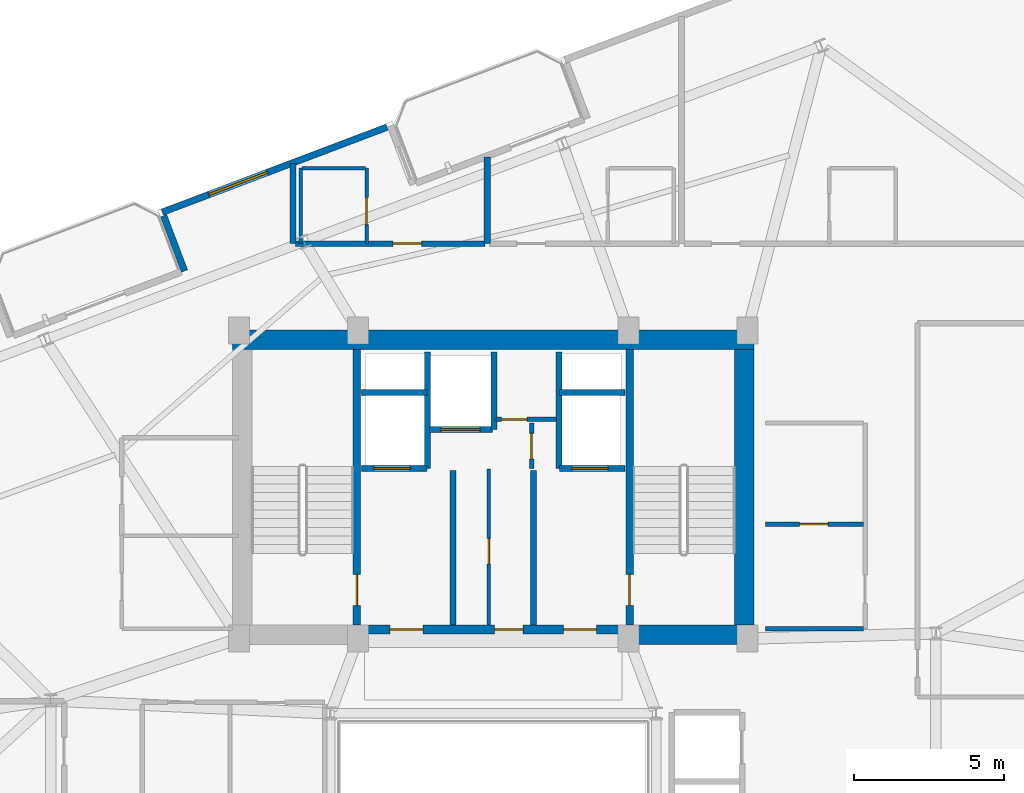
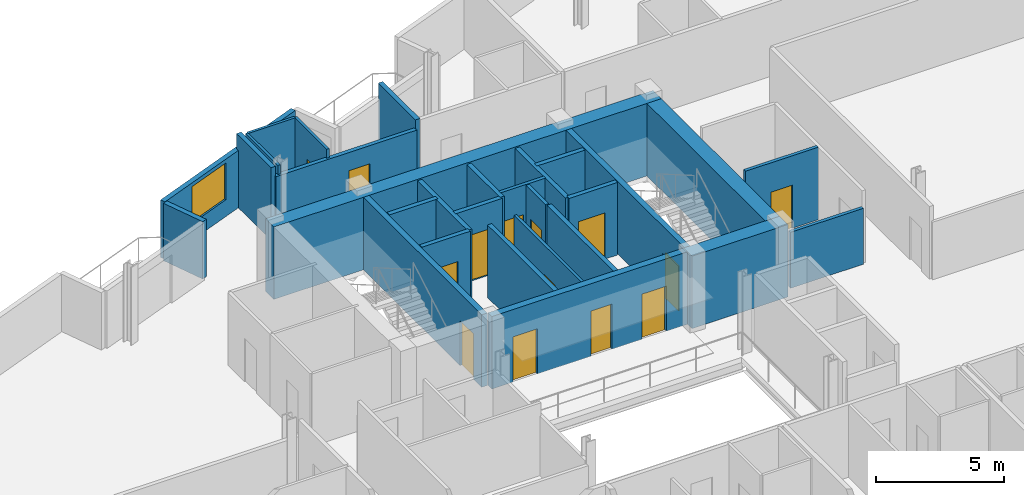
# One storey, part 16 of 20: 29 walls, 14 doors, 1 window, 15 openings.
"""IFC4 building model written with IfcOpenShell, lengths in metres."""

from ifc_helpers import new_model, si_unit, direction, frame, frame_2d, origin, place, context, subcontext, project, spatial, rectangle, extrude, material, layer, layer_set, type_object, element, fill, save


model = new_model("IFC4")

# Units and contexts
model_context = context("Model", 3, precision=1e-05, world=origin(), true_north=direction((0.0, 1.0)))
body_context = subcontext(model_context, "Body", "Model", "MODEL_VIEW")
ifc_project = project(units=[si_unit("LENGTHUNIT", "METRE"), si_unit("AREAUNIT", "SQUARE_METRE"), si_unit("VOLUMEUNIT", "CUBIC_METRE"), si_unit("PLANEANGLEUNIT", "RADIAN"), si_unit("MASSUNIT", "GRAM", prefix="KILO")], contexts=[model_context])

# Site, building, storey
site_placement = place(None, origin())
site = spatial("IfcSite", under=ifc_project, at=site_placement, CompositionType="ELEMENT")
building_placement = place(site_placement, origin())
building = spatial("IfcBuilding", under=site, at=building_placement, Name="Varnelok Gate Tower", CompositionType="ELEMENT")
storey_placement = place(building_placement, frame((0.0, 0.0, 234.89990234375)))
storey = spatial("IfcBuildingStorey", under=building, at=storey_placement, Name="L60", CompositionType="ELEMENT", Elevation=234.89990234375)

# Wall, opening, window
ifc_material_1 = material(Name="Concrete C45/55", Category="concrete")
ifc_layer_1 = layer(ifc_material_1, 0.219970703125)
ifc_layer_set_1 = layer_set([ifc_layer_1], Name="Concrete C45/55")
wall_type_1 = type_object("IfcWallType", Name="EW-BALC-220", PredefinedType="SOLIDWALL", material=ifc_layer_set_1)
wall_1_placement = place(storey_placement, frame((35.647705078125, 45.853515625, 0.0), z_axis=(0.0, 0.0, 1.0), x_axis=(-0.935230796934, -0.354038636968, 0.0)))
wall_1 = element("IfcWall", 1, at=wall_1_placement, inside=storey, type_object=wall_type_1, Name="L60 Perimeter Facade Closure Wall 29", PredefinedType="SOLIDWALL", context=body_context, shape_type="SweptSolid", body=[
    extrude(rectangle(XDim=8.03515625, YDim=0.219970703125, at=frame_2d((4.017578125, 0.0))), origin(), (0.0, 0.0, 1.0), 2.72998046875),
])
opening_1_placement = place(wall_1_placement, frame((4.273193359375, 0.0, 0.800048828125)))
opening_1 = element("IfcOpeningElement", 2, at=opening_1_placement, cuts=wall_1, Name="Opening WN4", PredefinedType="OPENING", context=body_context, shape_type="SweptSolid", body=[
    extrude(rectangle(XDim=2.10009765625, YDim=1.75, at=frame_2d((1.050048828125, 0.875))), frame((0.0, 0.119873046875, 0.0), z_axis=(0.0, -1.0, 0.0), x_axis=(1.0, 0.0, 0.0)), (0.0, 0.0, 1.0), 0.239990234375),
])
ifc_material_2 = material(Name="Low-E Laminated Double Glazing IGU", Category="glass")
window_type = type_object("IfcWindowType", Name="WN-SUI-2100", PartitioningType="SINGLE_PANEL", PredefinedType="WINDOW", material=ifc_material_2)
window_placement = place(opening_1_placement, origin())
window = element("IfcWindow", 3, at=window_placement, inside=storey, type_object=window_type, Name="L60 Perimeter Vision Window 29", OverallHeight=1.75, OverallWidth=2.10009765625, PartitioningType="SINGLE_PANEL", PredefinedType="WINDOW", context=body_context, shape_type="SweptSolid", body=[
    extrude(rectangle(XDim=2.10009765625, YDim=1.75, at=frame_2d((1.050048828125, 0.875))), frame((0.0, 0.030029296875, 0.0), z_axis=(0.0, -1.0, 0.0), x_axis=(1.0, 0.0, 0.0)), (0.0, 0.0, 1.0), 0.06005859375),
])
fill(opening_1, window)

# Wall
wall_2_placement = place(storey_placement, frame((28.177490234375, 42.891845703125, 0.0), z_axis=(0.0, 0.0, 1.0), x_axis=(0.354061611705, -0.935222099352, 0.0)))
element("IfcWall", 4, at=wall_2_placement, inside=storey, type_object=wall_type_1, Name="L60 Perimeter Facade Closure Wall 30", PredefinedType="SOLIDWALL", context=body_context, shape_type="SweptSolid", body=[
    extrude(rectangle(XDim=1.974853515625, YDim=0.219970703125, at=frame_2d((0.9873046875, 0.0))), origin(), (0.0, 0.0, 1.0), 2.72998046875),
])

# Wall, opening, door
ifc_material_3 = material(Name="Gypsum Plasterboard Acoustic Partition", Category="gypsum")
ifc_layer_2 = layer(ifc_material_3, 0.179931640625)
ifc_layer_set_2 = layer_set([ifc_layer_2], Name="Gypsum Plasterboard Acoustic Partition")
wall_type_2 = type_object("IfcWallType", Name="PW-CORR-180", PredefinedType="PARTITIONING", material=ifc_layer_set_2)
wall_3_placement = place(storey_placement, frame((32.580078125, 41.9599609375, 0.0), z_axis=(0.0, 0.0, 1.0), x_axis=(1.0, 0.0, 0.0)))
wall_3 = element("IfcWall", 5, at=wall_3_placement, inside=storey, type_object=wall_type_2, Name="Interior Partition", PredefinedType="PARTITIONING", context=body_context, shape_type="SweptSolid", body=[
    extrude(rectangle(XDim=6.33984375, YDim=0.179931640625, at=frame_2d((3.169921875, 0.0))), origin(), (0.0, 0.0, 1.0), 3.01806640625),
])
opening_2_placement = place(wall_3_placement, frame((3.273681640625, 0.0, 0.0)))
opening_2 = element("IfcOpeningElement", 6, at=opening_2_placement, cuts=wall_3, Name="Opening D-HT", PredefinedType="OPENING", context=body_context, shape_type="SweptSolid", body=[
    extrude(rectangle(XDim=0.949951171875, YDim=2.14990234375, at=frame_2d((0.47509765625, 1.074951171875))), frame((0.0, 0.099853515625, 0.0), z_axis=(0.0, -1.0, 0.0), x_axis=(1.0, 0.0, 0.0)), (0.0, 0.0, 1.0), 0.199951171875),
])
ifc_material_4 = material(Name="Engineered Hardwood Timber", Category="wood")
door_type_1 = type_object("IfcDoorType", Name="DR-HTL-950", OperationType="NOTDEFINED", PredefinedType="DOOR", material=ifc_material_4)
door_1_placement = place(opening_2_placement, origin())
door_1 = element("IfcDoor", 7, at=door_1_placement, inside=storey, type_object=door_type_1, Name="L60 Guest Room 08 Entrance Door", OperationType="SINGLE_SWING_LEFT", OverallHeight=2.14990234375, OverallWidth=0.949951171875, PredefinedType="DOOR", context=body_context, shape_type="SweptSolid", body=[
    extrude(rectangle(XDim=0.949951171875, YDim=2.14990234375, at=frame_2d((0.47509765625, 1.074951171875))), frame((0.0, 0.02490234375, 0.0), z_axis=(0.0, -1.0, 0.0), x_axis=(1.0, 0.0, 0.0)), (0.0, 0.0, 1.0), 0.050048828125),
])
fill(opening_2, door_1)

# Wall
ifc_layer_3 = layer(ifc_material_3, 0.114990234375)
ifc_layer_set_3 = layer_set([ifc_layer_3], Name="Gypsum Plasterboard Acoustic Partition")
wall_type_3 = type_object("IfcWallType", Name="PW-ENS-125", PredefinedType="PARTITIONING", material=ifc_layer_set_3)
wall_4_placement = place(storey_placement, frame((32.800048828125, 44.47998046875, 0.0), z_axis=(0.0, 0.0, 1.0), x_axis=(1.0, 0.0, 0.0)))
element("IfcWall", 8, at=wall_4_placement, inside=storey, type_object=wall_type_3, Name="Interior Partition", PredefinedType="PARTITIONING", context=body_context, shape_type="SweptSolid", body=[
    extrude(rectangle(XDim=2.1240234375, YDim=0.114990234375, at=frame_2d((1.06201171875, 0.0))), origin(), (0.0, 0.0, 1.0), 3.4501953125),
])

# Wall, opening, door
wall_5_placement = place(storey_placement, frame((34.964111328125, 41.9599609375, 0.0), z_axis=(0.0, 0.0, 1.0), x_axis=(0.0, 1.0, 0.0)))
wall_5 = element("IfcWall", 9, at=wall_5_placement, inside=storey, type_object=wall_type_3, Name="Interior Partition", PredefinedType="PARTITIONING", context=body_context, shape_type="SweptSolid", body=[
    extrude(rectangle(XDim=2.52001953125, YDim=0.114990234375, at=frame_2d((1.260009765625, 0.0))), origin(), (0.0, 0.0, 1.0), 3.4501953125),
])
opening_3_placement = place(wall_5_placement, frame((0.63818359375, 0.0, 0.0)))
opening_3 = element("IfcOpeningElement", 10, at=opening_3_placement, cuts=wall_5, Name="Opening D-WC", PredefinedType="OPENING", context=body_context, shape_type="SweptSolid", body=[
    extrude(rectangle(XDim=0.89990234375, YDim=2.050048828125, at=frame_2d((0.449951171875, 1.02490234375))), frame((0.0, 0.0673828125, 0.0), z_axis=(0.0, -1.0, 0.0), x_axis=(1.0, 0.0, 0.0)), (0.0, 0.0, 1.0), 0.135009765625),
])
door_type_2 = type_object("IfcDoorType", Name="DR-BATH-900", OperationType="NOTDEFINED", PredefinedType="DOOR", material=ifc_material_4)
door_2_placement = place(opening_3_placement, origin())
door_2 = element("IfcDoor", 11, at=door_2_placement, inside=storey, type_object=door_type_2, Name="L60 North En-Suite 08 Door", OperationType="SINGLE_SWING_RIGHT", OverallHeight=2.050048828125, OverallWidth=0.89990234375, PredefinedType="DOOR", context=body_context, shape_type="SweptSolid", body=[
    extrude(rectangle(XDim=0.89990234375, YDim=2.050048828125, at=frame_2d((0.449951171875, 1.02490234375))), frame((0.0, 0.02490234375, 0.0), z_axis=(0.0, -1.0, 0.0), x_axis=(1.0, 0.0, 0.0)), (0.0, 0.0, 1.0), 0.050048828125),
])
fill(opening_3, door_2)

# Wall
wall_6_placement = place(storey_placement, frame((32.760009765625, 41.9599609375, 0.0), z_axis=(0.0, 0.0, 1.0), x_axis=(0.0, 1.0, 0.0)))
element("IfcWall", 12, at=wall_6_placement, inside=storey, type_object=wall_type_3, Name="Interior Partition", PredefinedType="PARTITIONING", context=body_context, shape_type="SweptSolid", body=[
    extrude(rectangle(XDim=2.52001953125, YDim=0.114990234375, at=frame_2d((1.260009765625, 0.0))), origin(), (0.0, 0.0, 1.0), 3.4501953125),
])

# Wall, opening, door
ifc_layer_4 = layer(ifc_material_3, 0.125)
ifc_layer_set_4 = layer_set([ifc_layer_4], Name="Gypsum Plasterboard Acoustic Partition")
wall_type_4 = type_object("IfcWallType", Name="PW-PART-125", PredefinedType="PARTITIONING", material=ifc_layer_set_4)
wall_7_placement = place(storey_placement, frame((39.050048828125, 29.199951171875, 0.0), z_axis=(0.0, 0.0, 1.0), x_axis=(0.0, 1.0, 0.0)))
wall_7 = element("IfcWall", 13, at=wall_7_placement, inside=storey, type_object=wall_type_4, Name="Interior Partition", PredefinedType="PARTITIONING", context=body_context, shape_type="SweptSolid", body=[
    extrude(rectangle(XDim=5.219970703125, YDim=0.125, at=frame_2d((2.60986328125, 0.0))), origin(), (0.0, 0.0, 1.0), 3.4501953125),
])
opening_4_placement = place(wall_7_placement, frame((2.050048828125, 0.0, 0.0)))
opening_4 = element("IfcOpeningElement", 14, at=opening_4_placement, cuts=wall_7, Name="Opening D-RS", PredefinedType="OPENING", context=body_context, shape_type="SweptSolid", body=[
    extrude(rectangle(XDim=0.85009765625, YDim=2.050048828125, at=frame_2d((0.425048828125, 1.02490234375))), frame((0.0, 0.072509765625, 0.0), z_axis=(0.0, -1.0, 0.0), x_axis=(1.0, 0.0, 0.0)), (0.0, 0.0, 1.0), 0.14501953125),
])
ifc_material_5 = material(Name="Galvanized Steel Grade S350GD", Category="steel")
door_type_3 = type_object("IfcDoorType", Name="DR-RISER-850", OperationType="NOTDEFINED", PredefinedType="DOOR", material=ifc_material_5)
door_3_placement = place(opening_4_placement, origin())
door_3 = element("IfcDoor", 15, at=door_3_placement, inside=storey, type_object=door_type_3, Name="L60 Housekeeping Linen Door", OperationType="SINGLE_SWING_LEFT", OverallHeight=2.050048828125, OverallWidth=0.85009765625, PredefinedType="DOOR", context=body_context, shape_type="SweptSolid", body=[
    extrude(rectangle(XDim=0.85009765625, YDim=2.050048828125, at=frame_2d((0.425048828125, 1.02490234375))), frame((0.0, 0.02490234375, 0.0), z_axis=(0.0, -1.0, 0.0), x_axis=(1.0, 0.0, 0.0)), (0.0, 0.0, 1.0), 0.050048828125),
])
fill(opening_4, door_3)

ifc_layer_5 = layer(ifc_material_3, 0.14990234375)
ifc_layer_set_5 = layer_set([ifc_layer_5], Name="Gypsum Plasterboard Acoustic Partition")
wall_type_5 = type_object("IfcWallType", Name="PW-PART-150", PredefinedType="PARTITIONING", material=ifc_layer_set_5)
wall_8_placement = place(storey_placement, frame((39.300048828125, 36.080078125, 0.0), z_axis=(0.0, 0.0, 1.0), x_axis=(1.0, 0.0, 0.0)))
wall_8 = element("IfcWall", 16, at=wall_8_placement, inside=storey, type_object=wall_type_5, Name="L60 Electrical Closet South Wall", PredefinedType="PARTITIONING", context=body_context, shape_type="SweptSolid", body=[
    extrude(rectangle(XDim=2.02001953125, YDim=0.14990234375, at=frame_2d((1.010009765625, 0.0))), origin(), (0.0, 0.0, 1.0), 3.4501953125),
])
opening_5_placement = place(wall_8_placement, frame((0.179931640625, 0.0, 0.0)))
opening_5 = element("IfcOpeningElement", 17, at=opening_5_placement, cuts=wall_8, Name="Opening D-RS", PredefinedType="OPENING", context=body_context, shape_type="SweptSolid", body=[
    extrude(rectangle(XDim=0.85009765625, YDim=2.050048828125, at=frame_2d((0.425048828125, 1.02490234375))), frame((0.0, 0.0849609375, 0.0), z_axis=(0.0, -1.0, 0.0), x_axis=(1.0, 0.0, 0.0)), (0.0, 0.0, 1.0), 0.169921875),
])
door_4_placement = place(opening_5_placement, origin())
door_4 = element("IfcDoor", 18, at=door_4_placement, inside=storey, type_object=door_type_3, Name="L60 Electrical Closet Door", OperationType="SINGLE_SWING_RIGHT", OverallHeight=2.050048828125, OverallWidth=0.85009765625, PredefinedType="DOOR", context=body_context, shape_type="SweptSolid", body=[
    extrude(rectangle(XDim=0.85009765625, YDim=2.050048828125, at=frame_2d((0.425048828125, 1.02490234375))), frame((0.0, 0.02490234375, 0.0), z_axis=(0.0, -1.0, 0.0), x_axis=(1.0, 0.0, 0.0)), (0.0, 0.0, 1.0), 0.050048828125),
])
fill(opening_5, door_4)

wall_9_placement = place(storey_placement, frame((40.47998046875, 34.43994140625, 0.0), z_axis=(0.0, 0.0, 1.0), x_axis=(0.0, 1.0, 0.0)))
wall_9 = element("IfcWall", 19, at=wall_9_placement, inside=storey, type_object=wall_type_5, Name="L60 Telecoms Closet West Wall", PredefinedType="PARTITIONING", context=body_context, shape_type="SweptSolid", body=[
    extrude(rectangle(XDim=1.52001953125, YDim=0.14990234375, at=frame_2d((0.760009765625, 0.0))), origin(), (0.0, 0.0, 1.0), 3.4501953125),
])
opening_6_placement = place(wall_9_placement, frame((0.320068359375, 0.0, 0.0)))
opening_6 = element("IfcOpeningElement", 20, at=opening_6_placement, cuts=wall_9, Name="Opening D-RS", PredefinedType="OPENING", context=body_context, shape_type="SweptSolid", body=[
    extrude(rectangle(XDim=0.85009765625, YDim=2.050048828125, at=frame_2d((0.425048828125, 1.02490234375))), frame((0.0, 0.0849609375, 0.0), z_axis=(0.0, -1.0, 0.0), x_axis=(1.0, 0.0, 0.0)), (0.0, 0.0, 1.0), 0.169921875),
])
door_5_placement = place(opening_6_placement, origin())
door_5 = element("IfcDoor", 21, at=door_5_placement, inside=storey, type_object=door_type_3, Name="L60 Telecoms Closet Door", OperationType="SINGLE_SWING_LEFT", OverallHeight=2.050048828125, OverallWidth=0.85009765625, PredefinedType="DOOR", context=body_context, shape_type="SweptSolid", body=[
    extrude(rectangle(XDim=0.85009765625, YDim=2.050048828125, at=frame_2d((0.425048828125, 1.02490234375))), frame((0.0, 0.02490234375, 0.0), z_axis=(0.0, -1.0, 0.0), x_axis=(1.0, 0.0, 0.0)), (0.0, 0.0, 1.0), 0.050048828125),
])
fill(opening_6, door_5)

wall_10_placement = place(storey_placement, frame((48.300048828125, 32.580078125, 0.0), z_axis=(0.0, 0.0, 1.0), x_axis=(1.0, 0.0, 0.0)))
wall_10 = element("IfcWall", 22, at=wall_10_placement, inside=storey, type_object=wall_type_5, Name="Interior Partition", PredefinedType="PARTITIONING", context=body_context, shape_type="SweptSolid", body=[
    extrude(rectangle(XDim=3.280029296875, YDim=0.14990234375, at=frame_2d((1.64013671875, 0.0))), origin(), (0.0, 0.0, 1.0), 3.4501953125),
])
opening_7_placement = place(wall_10_placement, frame((1.14990234375, 0.0, 0.0)))
opening_7 = element("IfcOpeningElement", 23, at=opening_7_placement, cuts=wall_10, Name="Opening D-I2", PredefinedType="OPENING", context=body_context, shape_type="SweptSolid", body=[
    extrude(rectangle(XDim=0.949951171875, YDim=2.050048828125, at=frame_2d((0.47509765625, 1.02490234375))), frame((0.0, 0.0849609375, 0.0), z_axis=(0.0, -1.0, 0.0), x_axis=(1.0, 0.0, 0.0)), (0.0, 0.0, 1.0), 0.169921875),
])
door_type_4 = type_object("IfcDoorType", Name="DR-INT-950", OperationType="NOTDEFINED", PredefinedType="DOOR", material=ifc_material_4)
door_6_placement = place(opening_7_placement, origin())
door_6 = element("IfcDoor", 24, at=door_6_placement, inside=storey, type_object=door_type_4, Name="L60 Reclaimed Trunk Storage Door", OperationType="SINGLE_SWING_LEFT", OverallHeight=2.050048828125, OverallWidth=0.949951171875, PredefinedType="DOOR", context=body_context, shape_type="SweptSolid", body=[
    extrude(rectangle(XDim=0.949951171875, YDim=2.050048828125, at=frame_2d((0.47509765625, 1.02490234375))), frame((0.0, 0.02490234375, 0.0), z_axis=(0.0, -1.0, 0.0), x_axis=(1.0, 0.0, 0.0)), (0.0, 0.0, 1.0), 0.050048828125),
])
fill(opening_7, door_6)

# Walls
wall_11_placement = place(storey_placement, frame((48.300048828125, 29.080078125, 0.0), z_axis=(0.0, 0.0, 1.0), x_axis=(1.0, 0.0, 0.0)))
element("IfcWall", 25, at=wall_11_placement, inside=storey, type_object=wall_type_5, Name="Interior Partition", PredefinedType="PARTITIONING", context=body_context, shape_type="SweptSolid", body=[
    extrude(rectangle(XDim=3.280029296875, YDim=0.14990234375, at=frame_2d((1.64013671875, 0.0))), origin(), (0.0, 0.0, 1.0), 2.662109375),
])
ifc_layer_6 = layer(ifc_material_3, 0.205078125)
ifc_layer_set_6 = layer_set([ifc_layer_6], Name="Gypsum Plasterboard Acoustic Partition")
wall_type_6 = type_object("IfcWallType", Name="PW-PARTY-200", PredefinedType="PARTITIONING", material=ifc_layer_set_6)
wall_12_placement = place(storey_placement, frame((32.5, 41.9599609375, 0.0), z_axis=(0.0, 0.0, 1.0), x_axis=(0.0, 1.0, 0.0)))
element("IfcWall", 26, at=wall_12_placement, inside=storey, type_object=wall_type_6, Name="L60 North Party Wall 1", PredefinedType="PARTITIONING", context=body_context, shape_type="SweptSolid", body=[
    extrude(rectangle(XDim=2.6806640625, YDim=0.205078125, at=frame_2d((1.34033203125, 0.0))), origin(), (0.0, 0.0, 1.0), 3.4501953125),
])
wall_13_placement = place(storey_placement, frame((39.0, 41.9599609375, 0.0), z_axis=(0.0, 0.0, 1.0), x_axis=(0.0, 1.0, 0.0)))
element("IfcWall", 27, at=wall_13_placement, inside=storey, type_object=wall_type_6, Name="L60 North Party Wall 2", PredefinedType="PARTITIONING", context=body_context, shape_type="SweptSolid", body=[
    extrude(rectangle(XDim=2.89599609375, YDim=0.205078125, at=frame_2d((1.447998046875, 0.0))), origin(), (0.0, 0.0, 1.0), 3.4501953125),
])
ifc_material_6 = material(Name="Concrete C35/45", Category="concrete")
ifc_layer_7 = layer(ifc_material_6, 0.199951171875)
ifc_layer_set_7 = layer_set([ifc_layer_7], Name="Concrete C35/45")
wall_type_7 = type_object("IfcWallType", Name="PW-SHAFT-200", PredefinedType="PARTITIONING", material=ifc_layer_set_7)
for number, where, z_axis, x_axis, name in (
    (28, (37.860107421875, 29.199951171875, 0.0), (0.0, 0.0, 1.0), (0.0, 1.0, 0.0), "L60 West FF Lobby Rated Wall"),
    (29, (40.5400390625, 29.199951171875, 0.0), (0.0, 0.0, 1.0), (0.0, 1.0, 0.0), "L60 East FF Lobby Rated Wall"),
):
    element("IfcWall", number, at=place(storey_placement, frame(where, z_axis=z_axis, x_axis=x_axis)), inside=storey, type_object=wall_type_7, Name=name, PredefinedType="PARTITIONING", context=body_context, shape_type="SweptSolid", body=[
        extrude(rectangle(XDim=5.179931640625, YDim=0.199951171875, at=frame_2d((2.58984375, 0.0))), origin(), (0.0, 0.0, 1.0), 3.4501953125),
    ])

# Wall, opening, door
wall_14_placement = place(storey_placement, frame((34.800048828125, 34.43994140625, 0.0), z_axis=(0.0, 0.0, 1.0), x_axis=(1.0, 0.0, 0.0)))
wall_14 = element("IfcWall", 30, at=wall_14_placement, inside=storey, type_object=wall_type_7, Name="L60 FF1 Shaft Front Wall", PredefinedType="PARTITIONING", context=body_context, shape_type="SweptSolid", body=[
    extrude(rectangle(XDim=2.179931640625, YDim=0.199951171875, at=frame_2d((1.08984375, 0.0))), origin(), (0.0, 0.0, 1.0), 3.4501953125),
])
opening_8_placement = place(wall_14_placement, frame((0.419921875, 0.0, 0.0)))
opening_8 = element("IfcOpeningElement", 31, at=opening_8_placement, cuts=wall_14, Name="Opening LD-FF1", PredefinedType="OPENING", context=body_context, shape_type="SweptSolid", body=[
    extrude(rectangle(XDim=1.199951171875, YDim=2.199951171875, at=frame_2d((0.60009765625, 1.10009765625))), frame((0.0, 0.10986328125, 0.0), z_axis=(0.0, -1.0, 0.0), x_axis=(1.0, 0.0, 0.0)), (0.0, 0.0, 1.0), 0.219970703125),
])
door_type_5 = type_object("IfcDoorType", Name="DR-LIFT-FF1200", OperationType="SLIDING_TO_LEFT", PredefinedType="DOOR", material=ifc_material_5)
door_7_placement = place(opening_8_placement, origin())
door_7 = element("IfcDoor", 32, at=door_7_placement, inside=storey, type_object=door_type_5, Name="L60 Firefighting Lift Landing Door LD-FF1", OperationType="SLIDING_TO_LEFT", OverallHeight=2.199951171875, OverallWidth=1.199951171875, PredefinedType="DOOR", context=body_context, shape_type="SweptSolid", body=[
    extrude(rectangle(XDim=1.199951171875, YDim=2.199951171875, at=frame_2d((0.60009765625, 1.10009765625))), frame((0.0, 0.02490234375, 0.0), z_axis=(0.0, -1.0, 0.0), x_axis=(1.0, 0.0, 0.0)), (0.0, 0.0, 1.0), 0.050048828125),
])
fill(opening_8, door_7)

# Walls
wall_15_placement = place(storey_placement, frame((34.800048828125, 36.97998046875, 0.0), z_axis=(0.0, 0.0, 1.0), x_axis=(1.0, 0.0, 0.0)))
element("IfcWall", 33, at=wall_15_placement, inside=storey, type_object=wall_type_7, Name="L60 FF1 Shaft North Wall", PredefinedType="PARTITIONING", context=body_context, shape_type="SweptSolid", body=[
    extrude(rectangle(XDim=2.179931640625, YDim=0.199951171875, at=frame_2d((1.08984375, 0.0))), origin(), (0.0, 0.0, 1.0), 3.4501953125),
])
wall_16_placement = place(storey_placement, frame((37.0, 34.43994140625, 0.0), z_axis=(0.0, 0.0, 1.0), x_axis=(0.0, 1.0, 0.0)))
element("IfcWall", 34, at=wall_16_placement, inside=storey, type_object=wall_type_7, Name="L60 FF1 Shaft Side Wall", PredefinedType="PARTITIONING", context=body_context, shape_type="SweptSolid", body=[
    extrude(rectangle(XDim=3.900146484375, YDim=0.199951171875, at=frame_2d((1.9501953125, 0.0))), origin(), (0.0, 0.0, 1.0), 3.4501953125),
])

# Wall, opening, door
wall_17_placement = place(storey_placement, frame((41.419921875, 34.43994140625, 0.0), z_axis=(0.0, 0.0, 1.0), x_axis=(1.0, 0.0, 0.0)))
wall_17 = element("IfcWall", 35, at=wall_17_placement, inside=storey, type_object=wall_type_7, Name="L60 FF2 Shaft Front Wall", PredefinedType="PARTITIONING", context=body_context, shape_type="SweptSolid", body=[
    extrude(rectangle(XDim=2.18017578125, YDim=0.199951171875, at=frame_2d((1.090087890625, 0.0))), origin(), (0.0, 0.0, 1.0), 3.4501953125),
])
opening_9_placement = place(wall_17_placement, frame((0.419921875, 0.0, 0.0)))
opening_9 = element("IfcOpeningElement", 36, at=opening_9_placement, cuts=wall_17, Name="Opening LD-FF2", PredefinedType="OPENING", context=body_context, shape_type="SweptSolid", body=[
    extrude(rectangle(XDim=1.199951171875, YDim=2.199951171875, at=frame_2d((0.60009765625, 1.10009765625))), frame((0.0, 0.10986328125, 0.0), z_axis=(0.0, -1.0, 0.0), x_axis=(1.0, 0.0, 0.0)), (0.0, 0.0, 1.0), 0.219970703125),
])
door_8_placement = place(opening_9_placement, origin())
door_8 = element("IfcDoor", 37, at=door_8_placement, inside=storey, type_object=door_type_5, Name="L60 Firefighting Lift Landing Door LD-FF2", OperationType="SLIDING_TO_LEFT", OverallHeight=2.199951171875, OverallWidth=1.199951171875, PredefinedType="DOOR", context=body_context, shape_type="SweptSolid", body=[
    extrude(rectangle(XDim=1.199951171875, YDim=2.199951171875, at=frame_2d((0.60009765625, 1.10009765625))), frame((0.0, 0.02490234375, 0.0), z_axis=(0.0, -1.0, 0.0), x_axis=(1.0, 0.0, 0.0)), (0.0, 0.0, 1.0), 0.050048828125),
])
fill(opening_9, door_8)

# Walls
wall_18_placement = place(storey_placement, frame((41.419921875, 36.97998046875, 0.0), z_axis=(0.0, 0.0, 1.0), x_axis=(1.0, 0.0, 0.0)))
element("IfcWall", 38, at=wall_18_placement, inside=storey, type_object=wall_type_7, Name="L60 FF2 Shaft North Wall", PredefinedType="PARTITIONING", context=body_context, shape_type="SweptSolid", body=[
    extrude(rectangle(XDim=2.18017578125, YDim=0.199951171875, at=frame_2d((1.090087890625, 0.0))), origin(), (0.0, 0.0, 1.0), 3.4501953125),
])
wall_19_placement = place(storey_placement, frame((41.39990234375, 34.43994140625, 0.0), z_axis=(0.0, 0.0, 1.0), x_axis=(0.0, 1.0, 0.0)))
element("IfcWall", 39, at=wall_19_placement, inside=storey, type_object=wall_type_7, Name="L60 FF2 Shaft Side Wall", PredefinedType="PARTITIONING", context=body_context, shape_type="SweptSolid", body=[
    extrude(rectangle(XDim=3.900146484375, YDim=0.199951171875, at=frame_2d((1.9501953125, 0.0))), origin(), (0.0, 0.0, 1.0), 3.4501953125),
])

# Wall, opening, door
wall_20_placement = place(storey_placement, frame((37.06005859375, 35.75, 0.0), z_axis=(0.0, 0.0, 1.0), x_axis=(1.0, 0.0, 0.0)))
wall_20 = element("IfcWall", 40, at=wall_20_placement, inside=storey, type_object=wall_type_7, Name="L60 SV1 Shaft Front Wall", PredefinedType="PARTITIONING", context=body_context, shape_type="SweptSolid", body=[
    extrude(rectangle(XDim=2.119873046875, YDim=0.199951171875, at=frame_2d((1.06005859375, 0.0))), origin(), (0.0, 0.0, 1.0), 3.4501953125),
])
opening_10_placement = place(wall_20_placement, frame((0.39990234375, 0.0, 0.0)))
opening_10 = element("IfcOpeningElement", 41, at=opening_10_placement, cuts=wall_20, Name="Opening LD-SV1", PredefinedType="OPENING", context=body_context, shape_type="SweptSolid", body=[
    extrude(rectangle(XDim=1.300048828125, YDim=2.199951171875, at=frame_2d((0.64990234375, 1.10009765625))), frame((0.0, 0.10986328125, 0.0), z_axis=(0.0, -1.0, 0.0), x_axis=(1.0, 0.0, 0.0)), (0.0, 0.0, 1.0), 0.219970703125),
])
door_type_6 = type_object("IfcDoorType", Name="DR-LIFT-SV1300", OperationType="SLIDING_TO_LEFT", PredefinedType="DOOR", material=ifc_material_5)
door_9_placement = place(opening_10_placement, origin())
door_9 = element("IfcDoor", 42, at=door_9_placement, inside=storey, type_object=door_type_6, Name="L60 Service Lift Landing Door LD-SV1", OperationType="SLIDING_TO_LEFT", OverallHeight=2.199951171875, OverallWidth=1.300048828125, PredefinedType="DOOR", context=body_context, shape_type="SweptSolid", body=[
    extrude(rectangle(XDim=1.300048828125, YDim=2.199951171875, at=frame_2d((0.64990234375, 1.10009765625))), frame((0.0, 0.02490234375, 0.0), z_axis=(0.0, -1.0, 0.0), x_axis=(1.0, 0.0, 0.0)), (0.0, 0.0, 1.0), 0.050048828125),
])
fill(opening_10, door_9)

# Walls
wall_21_placement = place(storey_placement, frame((39.219970703125, 35.75, 0.0), z_axis=(0.0, 0.0, 1.0), x_axis=(0.0, 1.0, 0.0)))
element("IfcWall", 43, at=wall_21_placement, inside=storey, type_object=wall_type_7, Name="L60 SV1 Shaft East Wall", PredefinedType="PARTITIONING", context=body_context, shape_type="SweptSolid", body=[
    extrude(rectangle(XDim=2.590087890625, YDim=0.199951171875, at=frame_2d((1.294921875, 0.0))), origin(), (0.0, 0.0, 1.0), 3.4501953125),
])
ifc_material_7 = material(Name="Concrete C60/75", Category="concrete")
ifc_layer_8 = layer(ifc_material_7, 0.64990234375)
ifc_layer_set_8 = layer_set([ifc_layer_8], Name="Concrete C60/75")
wall_type_8 = type_object("IfcWallType", Name="SW-CORE-650", PredefinedType="SHEAR", material=ifc_layer_set_8)
wall_22_placement = place(storey_placement, frame((30.47998046875, 38.7451171875, 0.0), z_axis=(0.0, 0.0, 1.0), x_axis=(1.0, 0.0, 0.0)))
element("IfcWall", 44, at=wall_22_placement, inside=storey, type_object=wall_type_8, Name="L60 Rear Core North Shear Wall", PredefinedType="SHEAR", context=body_context, shape_type="SweptSolid", body=[
    extrude(rectangle(XDim=17.43994140625, YDim=0.64990234375, at=frame_2d((8.719970703125, 0.0))), origin(), (0.0, 0.0, 1.0), 3.4501953125),
])
wall_23_placement = place(storey_placement, frame((47.594970703125, 29.199951171875, 0.0), z_axis=(0.0, 0.0, 1.0), x_axis=(0.0, 1.0, 0.0)))
element("IfcWall", 45, at=wall_23_placement, inside=storey, type_object=wall_type_8, Name="L60 Rear Core East Shear Wall", PredefinedType="SHEAR", context=body_context, shape_type="SweptSolid", body=[
    extrude(rectangle(XDim=9.219970703125, YDim=0.64990234375, at=frame_2d((4.60986328125, 0.0))), origin(), (0.0, 0.0, 1.0), 3.4501953125),
])
wall_24_placement = place(storey_placement, frame((43.60009765625, 28.875, 0.0), z_axis=(0.0, 0.0, 1.0), x_axis=(1.0, 0.0, 0.0)))
element("IfcWall", 46, at=wall_24_placement, inside=storey, type_object=wall_type_8, Name="L60 Rear Core South-East Shear Wall", PredefinedType="SHEAR", context=body_context, shape_type="SweptSolid", body=[
    extrude(rectangle(XDim=4.31982421875, YDim=0.64990234375, at=frame_2d((2.159912109375, 0.0))), origin(), (0.0, 0.0, 1.0), 3.4501953125),
])

# Wall, opening, door
ifc_layer_9 = layer(ifc_material_7, 0.25)
ifc_layer_set_9 = layer_set([ifc_layer_9], Name="Concrete C60/75")
wall_type_9 = type_object("IfcWallType", Name="SW-SHAFT-250", PredefinedType="SHEAR", material=ifc_layer_set_9)
wall_25_placement = place(storey_placement, frame((34.639892578125, 29.199951171875, 0.0), z_axis=(0.0, 0.0, 1.0), x_axis=(0.0, 1.0, 0.0)))
wall_25 = element("IfcWall", 47, at=wall_25_placement, inside=storey, type_object=wall_type_9, Name="L60 Stair ST-1 East Shear Wall", PredefinedType="SHEAR", context=body_context, shape_type="SweptSolid", body=[
    extrude(rectangle(XDim=9.219970703125, YDim=0.25, at=frame_2d((4.60986328125, 0.0))), origin(), (0.0, 0.0, 1.0), 3.4501953125),
])
opening_11_placement = place(wall_25_placement, frame((0.64990234375, 0.0, 0.0)))
opening_11 = element("IfcOpeningElement", 48, at=opening_11_placement, cuts=wall_25, Name="Opening D-ST", PredefinedType="OPENING", context=body_context, shape_type="SweptSolid", body=[
    extrude(rectangle(XDim=1.050048828125, YDim=2.14990234375, at=frame_2d((0.52490234375, 1.074951171875))), frame((0.0, 0.135009765625, 0.0), z_axis=(0.0, -1.0, 0.0), x_axis=(1.0, 0.0, 0.0)), (0.0, 0.0, 1.0), 0.27001953125),
])
door_type_7 = type_object("IfcDoorType", Name="DR-STAIR-1050", OperationType="NOTDEFINED", PredefinedType="DOOR", material=ifc_material_5)
door_10_placement = place(opening_11_placement, origin())
door_10 = element("IfcDoor", 49, at=door_10_placement, inside=storey, type_object=door_type_7, Name="L60 Exit Stair ST-1 Fire Door", OperationType="SINGLE_SWING_LEFT", OverallHeight=2.14990234375, OverallWidth=1.050048828125, PredefinedType="DOOR", context=body_context, shape_type="SweptSolid", body=[
    extrude(rectangle(XDim=1.050048828125, YDim=2.14990234375, at=frame_2d((0.52490234375, 1.074951171875))), frame((0.0, 0.02490234375, 0.0), z_axis=(0.0, -1.0, 0.0), x_axis=(1.0, 0.0, 0.0)), (0.0, 0.0, 1.0), 0.050048828125),
])
fill(opening_11, door_10)

wall_26_placement = place(storey_placement, frame((43.760009765625, 29.199951171875, 0.0), z_axis=(0.0, 0.0, 1.0), x_axis=(0.0, 1.0, 0.0)))
wall_26 = element("IfcWall", 50, at=wall_26_placement, inside=storey, type_object=wall_type_9, Name="L60 Stair ST-2 West Shear Wall", PredefinedType="SHEAR", context=body_context, shape_type="SweptSolid", body=[
    extrude(rectangle(XDim=9.219970703125, YDim=0.25, at=frame_2d((4.60986328125, 0.0))), origin(), (0.0, 0.0, 1.0), 3.4501953125),
])
opening_12_placement = place(wall_26_placement, frame((0.64990234375, 0.0, 0.0)))
opening_12 = element("IfcOpeningElement", 51, at=opening_12_placement, cuts=wall_26, Name="Opening D-ST", PredefinedType="OPENING", context=body_context, shape_type="SweptSolid", body=[
    extrude(rectangle(XDim=1.050048828125, YDim=2.14990234375, at=frame_2d((0.52490234375, 1.074951171875))), frame((0.0, 0.135009765625, 0.0), z_axis=(0.0, -1.0, 0.0), x_axis=(1.0, 0.0, 0.0)), (0.0, 0.0, 1.0), 0.27001953125),
])
door_11_placement = place(opening_12_placement, origin())
door_11 = element("IfcDoor", 52, at=door_11_placement, inside=storey, type_object=door_type_7, Name="L60 Exit Stair ST-2 Fire Door", OperationType="SINGLE_SWING_RIGHT", OverallHeight=2.14990234375, OverallWidth=1.050048828125, PredefinedType="DOOR", context=body_context, shape_type="SweptSolid", body=[
    extrude(rectangle(XDim=1.050048828125, YDim=2.14990234375, at=frame_2d((0.52490234375, 1.074951171875))), frame((0.0, 0.02490234375, 0.0), z_axis=(0.0, -1.0, 0.0), x_axis=(1.0, 0.0, 0.0)), (0.0, 0.0, 1.0), 0.050048828125),
])
fill(opening_12, door_11)

# Wall, openings, doors
ifc_layer_10 = layer(ifc_material_7, 0.300048828125)
ifc_layer_set_10 = layer_set([ifc_layer_10], Name="Concrete C60/75")
wall_type_10 = type_object("IfcWallType", Name="SW-SHAFT-300", PredefinedType="SHEAR", material=ifc_layer_set_10)
wall_27_placement = place(storey_placement, frame((34.800048828125, 29.050048828125, 0.0), z_axis=(0.0, 0.0, 1.0), x_axis=(1.0, 0.0, 0.0)))
wall_27 = element("IfcWall", 53, at=wall_27_placement, inside=storey, type_object=wall_type_10, Name="L60 Rear Core Central Lobby Shear Wall", PredefinedType="SHEAR", context=body_context, shape_type="SweptSolid", body=[
    extrude(rectangle(XDim=8.800048828125, YDim=0.300048828125, at=frame_2d((4.39990234375, 0.0))), origin(), (0.0, 0.0, 1.0), 3.4501953125),
])
opening_13_placement = place(wall_27_placement, frame((0.949951171875, 0.0, 0.0)))
opening_13 = element("IfcOpeningElement", 54, at=opening_13_placement, cuts=wall_27, Name="Opening D-FF", PredefinedType="OPENING", context=body_context, shape_type="SweptSolid", body=[
    extrude(rectangle(XDim=1.10009765625, YDim=2.14990234375, at=frame_2d((0.550048828125, 1.074951171875))), frame((0.0, 0.159912109375, 0.0), z_axis=(0.0, -1.0, 0.0), x_axis=(1.0, 0.0, 0.0)), (0.0, 0.0, 1.0), 0.320068359375),
])
opening_14_placement = place(wall_27_placement, frame((6.75, 0.0, 0.0)))
opening_14 = element("IfcOpeningElement", 55, at=opening_14_placement, cuts=wall_27, Name="Opening D-FF", PredefinedType="OPENING", context=body_context, shape_type="SweptSolid", body=[
    extrude(rectangle(XDim=1.10009765625, YDim=2.14990234375, at=frame_2d((0.550048828125, 1.074951171875))), frame((0.0, 0.159912109375, 0.0), z_axis=(0.0, -1.0, 0.0), x_axis=(1.0, 0.0, 0.0)), (0.0, 0.0, 1.0), 0.320068359375),
])
opening_15_placement = place(wall_27_placement, frame((4.449951171875, 0.0, 0.0)))
opening_15 = element("IfcOpeningElement", 56, at=opening_15_placement, cuts=wall_27, Name="Opening D-CR", PredefinedType="OPENING", context=body_context, shape_type="SweptSolid", body=[
    extrude(rectangle(XDim=0.949951171875, YDim=2.14990234375, at=frame_2d((0.47509765625, 1.074951171875))), frame((0.0, 0.159912109375, 0.0), z_axis=(0.0, -1.0, 0.0), x_axis=(1.0, 0.0, 0.0)), (0.0, 0.0, 1.0), 0.320068359375),
])
door_type_8 = type_object("IfcDoorType", Name="DR-CORR-950", OperationType="NOTDEFINED", PredefinedType="DOOR", material=ifc_material_5)
door_12_placement = place(opening_15_placement, origin())
door_12 = element("IfcDoor", 57, at=door_12_placement, inside=storey, type_object=door_type_8, Name="L60 Core Service Passage Door", OperationType="SINGLE_SWING_LEFT", OverallHeight=2.14990234375, OverallWidth=0.949951171875, PredefinedType="DOOR", context=body_context, shape_type="SweptSolid", body=[
    extrude(rectangle(XDim=0.949951171875, YDim=2.14990234375, at=frame_2d((0.47509765625, 1.074951171875))), frame((0.0, 0.02490234375, 0.0), z_axis=(0.0, -1.0, 0.0), x_axis=(1.0, 0.0, 0.0)), (0.0, 0.0, 1.0), 0.050048828125),
])
fill(opening_15, door_12)
door_type_9 = type_object("IfcDoorType", Name="DR-FFLOB-1100", OperationType="NOTDEFINED", PredefinedType="DOOR", material=ifc_material_5)
door_13_placement = place(opening_13_placement, origin())
door_13 = element("IfcDoor", 58, at=door_13_placement, inside=storey, type_object=door_type_9, Name="L60 West Firefighting Lobby Fire Door", OperationType="SINGLE_SWING_RIGHT", OverallHeight=2.14990234375, OverallWidth=1.10009765625, PredefinedType="DOOR", context=body_context, shape_type="SweptSolid", body=[
    extrude(rectangle(XDim=1.10009765625, YDim=2.14990234375, at=frame_2d((0.550048828125, 1.074951171875))), frame((0.0, 0.02490234375, 0.0), z_axis=(0.0, -1.0, 0.0), x_axis=(1.0, 0.0, 0.0)), (0.0, 0.0, 1.0), 0.050048828125),
])
fill(opening_13, door_13)
door_14_placement = place(opening_14_placement, origin())
door_14 = element("IfcDoor", 59, at=door_14_placement, inside=storey, type_object=door_type_9, Name="L60 East Firefighting Lobby Fire Door", OperationType="SINGLE_SWING_LEFT", OverallHeight=2.14990234375, OverallWidth=1.10009765625, PredefinedType="DOOR", context=body_context, shape_type="SweptSolid", body=[
    extrude(rectangle(XDim=1.10009765625, YDim=2.14990234375, at=frame_2d((0.550048828125, 1.074951171875))), frame((0.0, 0.02490234375, 0.0), z_axis=(0.0, -1.0, 0.0), x_axis=(1.0, 0.0, 0.0)), (0.0, 0.0, 1.0), 0.050048828125),
])
fill(opening_14, door_14)

save(model, "model.ifc")
